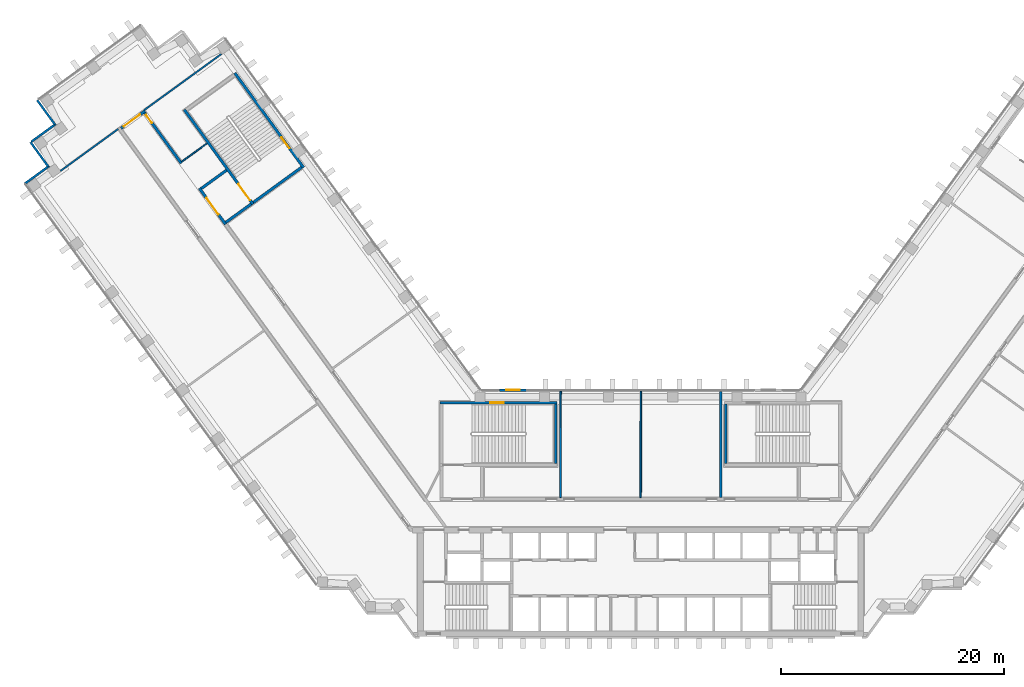
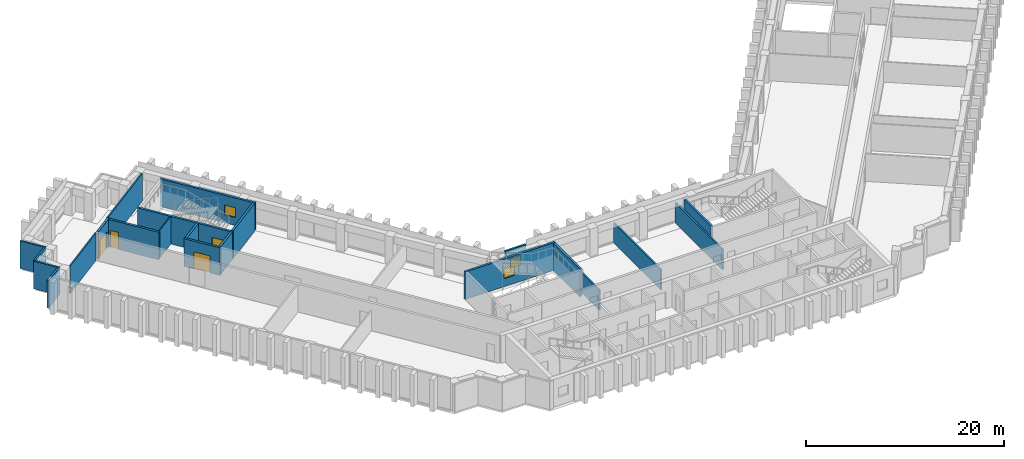
# One storey, part 6 of 12: 22 walls, 4 doors, 3 windows, 7 openings.
"""IFC4 building model written with IfcOpenShell, lengths in metres."""

from ifc_helpers import new_model, si_unit, direction, frame, frame_2d, origin, place, context, subcontext, project, spatial, rectangle, extrude, material, layer, layer_set, type_object, element, fill, save


model = new_model("IFC4")

# Units and contexts
model_context = context("Model", 3, precision=1e-05, world=origin(), true_north=direction((0.0, 1.0)))
body_context = subcontext(model_context, "Body", "Model", "MODEL_VIEW")
ifc_project = project(units=[si_unit("LENGTHUNIT", "METRE"), si_unit("AREAUNIT", "SQUARE_METRE"), si_unit("VOLUMEUNIT", "CUBIC_METRE"), si_unit("PLANEANGLEUNIT", "RADIAN"), si_unit("MASSUNIT", "GRAM", prefix="KILO")], contexts=[model_context])

# Site, building, storey
site_placement = place(None, origin())
site = spatial("IfcSite", under=ifc_project, at=site_placement, CompositionType="ELEMENT")
building_placement = place(site_placement, origin())
building = spatial("IfcBuilding", under=site, at=building_placement, Name="Quipu Civic Tower", CompositionType="ELEMENT")
storey_placement = place(building_placement, frame((0.0, 0.0, 75.0)))
storey = spatial("IfcBuildingStorey", under=building, at=storey_placement, Name="L17", CompositionType="ELEMENT", Elevation=75.0)

# Walls
ifc_material_1 = material(Name="Double gypsum plasterboard with mineral wool")
ifc_layer_1 = layer(ifc_material_1, 0.14990234375)
ifc_layer_set_1 = layer_set([ifc_layer_1], Name="Double gypsum plasterboard with mineral wool")
wall_type_1 = type_object("IfcWallType", Name="Acoustic partition 150 plasterboard", PredefinedType="PARTITIONING", material=ifc_layer_set_1)
wall_1_placement = place(storey_placement, frame((0.022705078125, 11.0, 0.0), z_axis=(0.0, 0.0, 1.0), x_axis=(-0.002377476217, -0.999997173799, 0.0)))
element("IfcWall", 1, at=wall_1_placement, inside=storey, type_object=wall_type_1, Name="Partition P05", PredefinedType="PARTITIONING", context=body_context, shape_type="SweptSolid", body=[
    extrude(rectangle(XDim=9.550048828125, YDim=0.14990234375, at=frame_2d((4.77490234375, 0.0))), origin(), (0.0, 0.0, 1.0), 2.5),
])
wall_2_placement = place(storey_placement, frame((-37.614013671875, 41.2568359375, 0.0), z_axis=(0.0, 0.0, 1.0), x_axis=(-0.808991595707, -0.587820208972, 0.0)))
element("IfcWall", 2, at=wall_2_placement, inside=storey, type_object=wall_type_1, Name="Partition P07", PredefinedType="PARTITIONING", context=body_context, shape_type="SweptSolid", body=[
    extrude(rectangle(XDim=8.550537109375, YDim=0.14990234375, at=frame_2d((4.275390625, 0.0))), origin(), (0.0, 0.0, 1.0), 3.39990234375),
])
wall_3_placement = place(storey_placement, frame((-46.877197265625, 34.52587890625, 0.0), z_axis=(0.0, 0.0, 1.0), x_axis=(-0.808993566199, -0.587817497059, 0.0)))
element("IfcWall", 3, at=wall_3_placement, inside=storey, type_object=wall_type_1, Name="Partition P11", PredefinedType="PARTITIONING", context=body_context, shape_type="SweptSolid", body=[
    extrude(rectangle(XDim=6.39453125, YDim=0.14990234375, at=frame_2d((3.197265625, 0.0))), origin(), (0.0, 0.0, 1.0), 3.39990234375),
])
wall_4_placement = place(storey_placement, frame((-7.17529296875, 11.0, 0.0), z_axis=(0.0, 0.0, 1.0), x_axis=(-0.002377476217, -0.999997173799, 0.0)))
element("IfcWall", 4, at=wall_4_placement, inside=storey, type_object=wall_type_1, Name="Partition P13", PredefinedType="PARTITIONING", context=body_context, shape_type="SweptSolid", body=[
    extrude(rectangle(XDim=9.550048828125, YDim=0.14990234375, at=frame_2d((4.77490234375, 0.0))), origin(), (0.0, 0.0, 1.0), 2.5),
])
ifc_material_2 = material(Name="Fired clay blockwork", Category="masonry")
ifc_layer_2 = layer(ifc_material_2, 0.199951171875)
ifc_layer_set_2 = layer_set([ifc_layer_2], Name="Fired clay blockwork")
wall_type_2 = type_object("IfcWallType", Name="Blockwork wall 200", PredefinedType="SOLIDWALL", material=ifc_layer_set_2)
wall_5_placement = place(storey_placement, frame((7.177978515625, 1.449951171875, 0.0), z_axis=(0.0, 0.0, 1.0), x_axis=(0.0, 1.0, 0.0)))
element("IfcWall", 5, at=wall_5_placement, inside=storey, type_object=wall_type_2, Name="Partition P06", PredefinedType="SOLIDWALL", context=body_context, shape_type="SweptSolid", body=[
    extrude(rectangle(XDim=9.550048828125, YDim=0.199951171875, at=frame_2d((4.77490234375, 0.0))), origin(), (0.0, 0.0, 1.0), 2.5),
])
ifc_material_3 = material(Name="Concrete C70/85", Category="concrete")
ifc_layer_3 = layer(ifc_material_3, 0.25)
ifc_layer_set_3 = layer_set([ifc_layer_3], Name="Concrete C70/85")
wall_type_3 = type_object("IfcWallType", Name="Core wall 250", PredefinedType="SHEAR", material=ifc_layer_set_3)
wall_6_placement = place(storey_placement, frame((-7.625, 4.5, 0.0), z_axis=(0.0, 0.0, 1.0), x_axis=(0.0, 1.0, 0.0)))
element("IfcWall", 6, at=wall_6_placement, inside=storey, type_object=wall_type_3, Name="Core wall", PredefinedType="SHEAR", context=body_context, shape_type="SweptSolid", body=[
    extrude(rectangle(XDim=5.35009765625, YDim=0.25, at=frame_2d((2.675048828125, 0.0))), origin(), (0.0, 0.0, 1.0), 3.39990234375),
])

# Wall, opening, window
wall_7_placement = place(storey_placement, frame((-18.0, 9.97509765625, 0.0), z_axis=(0.0, 0.0, 1.0), x_axis=(1.0, 0.0, 0.0)))
wall_7 = element("IfcWall", 7, at=wall_7_placement, inside=storey, type_object=wall_type_3, Name="Core wall", PredefinedType="SHEAR", context=body_context, shape_type="SweptSolid", body=[
    extrude(rectangle(XDim=10.5, YDim=0.25, at=frame_2d((5.25, 0.0))), origin(), (0.0, 0.0, 1.0), 3.39990234375),
])
opening_1_placement = place(wall_7_placement, frame((4.5, 0.0, 1.0)))
opening_1 = element("IfcOpeningElement", 8, at=opening_1_placement, cuts=wall_7, Name="Opening SV-3", PredefinedType="OPENING", context=body_context, shape_type="SweptSolid", body=[
    extrude(rectangle(XDim=1.199951171875, YDim=1.199951171875, at=frame_2d((0.60009765625, 0.60009765625))), frame((0.0, 0.135009765625, 0.0), z_axis=(0.0, -1.0, 0.0), x_axis=(1.0, 0.0, 0.0)), (0.0, 0.0, 1.0), 0.27001953125),
])
ifc_material_4 = material(Name="Aluminium louvre", Category="aluminium")
window_type_1 = type_object("IfcWindowType", Name="Stair ventilation louvre 1200 x 1200", PartitioningType="SINGLE_PANEL", PredefinedType="WINDOW", material=ifc_material_4)
window_1_placement = place(opening_1_placement, origin())
window_1 = element("IfcWindow", 9, at=window_1_placement, inside=storey, type_object=window_type_1, Name="Stair ventilation opening", OverallHeight=1.199951171875, OverallWidth=1.199951171875, PartitioningType="SINGLE_PANEL", PredefinedType="WINDOW", context=body_context, shape_type="SweptSolid", body=[
    extrude(rectangle(XDim=1.199951171875, YDim=1.199951171875, at=frame_2d((0.60009765625, 0.60009765625))), frame((0.0, 0.030029296875, 0.0), z_axis=(0.0, -1.0, 0.0), x_axis=(1.0, 0.0, 0.0)), (0.0, 0.0, 1.0), 0.06005859375),
])
fill(opening_1, window_1)

# Wall
wall_8_placement = place(storey_placement, frame((7.625, 4.5, 0.0), z_axis=(0.0, 0.0, 1.0), x_axis=(0.0, 1.0, 0.0)))
element("IfcWall", 10, at=wall_8_placement, inside=storey, type_object=wall_type_3, Name="Core wall", PredefinedType="SHEAR", context=body_context, shape_type="SweptSolid", body=[
    extrude(rectangle(XDim=5.35009765625, YDim=0.25, at=frame_2d((2.675048828125, 0.0))), origin(), (0.0, 0.0, 1.0), 3.39990234375),
])

# Wall, opening, window
wall_9_placement = place(storey_placement, frame((-30.239501953125, 31.06396484375, 0.0), z_axis=(0.0, 0.0, 1.0), x_axis=(-0.587795589702, 0.809009483706, 0.0)))
wall_9 = element("IfcWall", 11, at=wall_9_placement, inside=storey, type_object=wall_type_3, Name="Core wall", PredefinedType="SHEAR", context=body_context, shape_type="SweptSolid", body=[
    extrude(rectangle(XDim=10.5, YDim=0.25, at=frame_2d((5.25, 0.0))), origin(), (0.0, 0.0, 1.0), 3.39990234375),
])
opening_2_placement = place(wall_9_placement, frame((2.14990234375, 0.0, 1.0)))
opening_2 = element("IfcOpeningElement", 12, at=opening_2_placement, cuts=wall_9, Name="Opening SV-6", PredefinedType="OPENING", context=body_context, shape_type="SweptSolid", body=[
    extrude(rectangle(XDim=1.199951171875, YDim=1.199951171875, at=frame_2d((0.60009765625, 0.60009765625))), frame((0.0, 0.135009765625, 0.0), z_axis=(0.0, -1.0, 0.0), x_axis=(1.0, 0.0, 0.0)), (0.0, 0.0, 1.0), 0.27001953125),
])
window_2_placement = place(opening_2_placement, origin())
window_2 = element("IfcWindow", 13, at=window_2_placement, inside=storey, type_object=window_type_1, Name="Stair ventilation opening", OverallHeight=1.199951171875, OverallWidth=1.199951171875, PartitioningType="SINGLE_PANEL", PredefinedType="WINDOW", context=body_context, shape_type="SweptSolid", body=[
    extrude(rectangle(XDim=1.199951171875, YDim=1.199951171875, at=frame_2d((0.60009765625, 0.60009765625))), frame((0.0, 0.030029296875, 0.0), z_axis=(0.0, -1.0, 0.0), x_axis=(1.0, 0.0, 0.0)), (0.0, 0.0, 1.0), 0.06005859375),
])
fill(opening_2, window_2)

# Wall
wall_10_placement = place(storey_placement, frame((-30.414306640625, 31.091796875, 0.0), z_axis=(0.0, 0.0, 1.0), x_axis=(-0.8089984606, -0.587810760999, 0.0)))
element("IfcWall", 14, at=wall_10_placement, inside=storey, type_object=wall_type_3, Name="Core wall", PredefinedType="SHEAR", context=body_context, shape_type="SweptSolid", body=[
    extrude(rectangle(XDim=5.35009765625, YDim=0.25, at=frame_2d((2.675048828125, 0.0))), origin(), (0.0, 0.0, 1.0), 3.39990234375),
])

# Wall, opening, door
wall_11_placement = place(storey_placement, frame((-40.94189453125, 36.26708984375, 0.0), z_axis=(0.0, 0.0, 1.0), x_axis=(0.587795589702, -0.809009483706, 0.0)))
wall_11 = element("IfcWall", 15, at=wall_11_placement, inside=storey, type_object=wall_type_3, Name="Core wall", PredefinedType="SHEAR", context=body_context, shape_type="SweptSolid", body=[
    extrude(rectangle(XDim=10.5, YDim=0.25, at=frame_2d((5.25, 0.0))), origin(), (0.0, 0.0, 1.0), 3.39990234375),
])
opening_3_placement = place(wall_11_placement, frame((8.25, 0.0, 0.0)))
opening_3 = element("IfcOpeningElement", 16, at=opening_3_placement, cuts=wall_11, Name="Opening CD-19", PredefinedType="OPENING", context=body_context, shape_type="SweptSolid", body=[
    extrude(rectangle(XDim=1.800048828125, YDim=2.10009765625, at=frame_2d((0.89990234375, 1.050048828125))), frame((0.0, 0.135009765625, 0.0), z_axis=(0.0, -1.0, 0.0), x_axis=(1.0, 0.0, 0.0)), (0.0, 0.0, 1.0), 0.27001953125),
])
ifc_material_5 = material(Name="Fire rated steel door", Category="steel")
door_type_1 = type_object("IfcDoorType", Name="Fire door FD90 double 1800 x 2100", OperationType="NOTDEFINED", PredefinedType="DOOR", material=ifc_material_5)
door_1_placement = place(opening_3_placement, origin())
door_1 = element("IfcDoor", 17, at=door_1_placement, inside=storey, type_object=door_type_1, Name="Door", OperationType="DOUBLE_DOOR_SINGLE_SWING", OverallHeight=2.10009765625, OverallWidth=1.800048828125, PredefinedType="DOOR", context=body_context, shape_type="SweptSolid", body=[
    extrude(rectangle(XDim=1.800048828125, YDim=2.10009765625, at=frame_2d((0.89990234375, 1.050048828125))), frame((0.0, 0.02490234375, 0.0), z_axis=(0.0, -1.0, 0.0), x_axis=(1.0, 0.0, 0.0)), (0.0, 0.0, 1.0), 0.050048828125),
])
fill(opening_3, door_1)

# Walls
for number, where, z_axis, x_axis, name in (
    (18, (-34.944580078125, 27.800048828125, 0.0), (0.0, 0.0, 1.0), (-0.809041377956, -0.587751689708, 0.0), "Core wall"),
    (19, (-37.14892578125, 30.833984375, 0.0), (0.0, 0.0, 1.0), (-0.808969789945, -0.58785021813, 0.0), "Core wall"),
):
    element("IfcWall", number, at=place(storey_placement, frame(where, z_axis=z_axis, x_axis=x_axis)), inside=storey, type_object=wall_type_3, Name=name, PredefinedType="SHEAR", context=body_context, shape_type="SweptSolid", body=[
        extrude(rectangle(XDim=2.800048828125, YDim=0.25, at=frame_2d((1.39990234375, 0.0))), origin(), (0.0, 0.0, 1.0), 3.39990234375),
    ])

# Wall, opening, door
wall_12_placement = place(storey_placement, frame((-39.588623046875, 29.2158203125, 0.0), z_axis=(0.0, 0.0, 1.0), x_axis=(0.587772420479, -0.809026317077, 0.0)))
wall_12 = element("IfcWall", 20, at=wall_12_placement, inside=storey, type_object=wall_type_3, Name="Core wall", PredefinedType="SHEAR", context=body_context, shape_type="SweptSolid", body=[
    extrude(rectangle(XDim=4.0, YDim=0.25, at=frame_2d((2.0, 0.0))), origin(), (0.0, 0.0, 1.0), 3.39990234375),
])
opening_4_placement = place(wall_12_placement, frame((1.10009765625, 0.0, 0.0)))
opening_4 = element("IfcOpeningElement", 21, at=opening_4_placement, cuts=wall_12, Name="Opening CD-20", PredefinedType="OPENING", context=body_context, shape_type="SweptSolid", body=[
    extrude(rectangle(XDim=1.800048828125, YDim=2.10009765625, at=frame_2d((0.89990234375, 1.050048828125))), frame((0.0, 0.135009765625, 0.0), z_axis=(0.0, -1.0, 0.0), x_axis=(1.0, 0.0, 0.0)), (0.0, 0.0, 1.0), 0.27001953125),
])
door_2_placement = place(opening_4_placement, origin())
door_2 = element("IfcDoor", 22, at=door_2_placement, inside=storey, type_object=door_type_1, Name="Lobby door", OperationType="DOUBLE_DOOR_SINGLE_SWING", OverallHeight=2.10009765625, OverallWidth=1.800048828125, PredefinedType="DOOR", context=body_context, shape_type="SweptSolid", body=[
    extrude(rectangle(XDim=1.800048828125, YDim=2.10009765625, at=frame_2d((0.89990234375, 1.050048828125))), frame((0.0, 0.02490234375, 0.0), z_axis=(0.0, -1.0, 0.0), x_axis=(1.0, 0.0, 0.0)), (0.0, 0.0, 1.0), 0.050048828125),
])
fill(opening_4, door_2)

ifc_material_6 = material(Name="Concrete C50/60", Category="concrete")
ifc_layer_4 = layer(ifc_material_6, 0.25)
ifc_layer_set_4 = layer_set([ifc_layer_4], Name="Concrete C50/60")
wall_type_4 = type_object("IfcWallType", Name="Corridor wall 250 concrete", PredefinedType="SOLIDWALL", material=ifc_layer_set_4)
wall_13_placement = place(storey_placement, frame((-46.613037109375, 34.587890625, 0.0), z_axis=(0.0, 0.0, 1.0), x_axis=(0.808994936898, 0.587815610607, 0.0)))
wall_13 = element("IfcWall", 23, at=wall_13_placement, inside=storey, type_object=wall_type_4, Name="Corridor wall C02", PredefinedType="SOLIDWALL", context=body_context, shape_type="SweptSolid", body=[
    extrude(rectangle(XDim=2.650146484375, YDim=0.25, at=frame_2d((1.3251953125, 0.0))), origin(), (0.0, 0.0, 1.0), 3.39990234375),
])
opening_5_placement = place(wall_13_placement, frame((0.29931640625, 0.0, 0.0)))
opening_5 = element("IfcOpeningElement", 24, at=opening_5_placement, cuts=wall_13, Name="Opening D021", PredefinedType="OPENING", context=body_context, shape_type="SweptSolid", body=[
    extrude(rectangle(XDim=1.800048828125, YDim=2.10009765625, at=frame_2d((0.89990234375, 1.050048828125))), frame((0.0, 0.135009765625, 0.0), z_axis=(0.0, -1.0, 0.0), x_axis=(1.0, 0.0, 0.0)), (0.0, 0.0, 1.0), 0.27001953125),
])
ifc_material_7 = material(Name="Fire rated timber door set with metal frame", Category="wood")
door_type_2 = type_object("IfcDoorType", Name="Double door 1800 x 2100 FD60", OperationType="DOUBLE_DOOR_SINGLE_SWING", PredefinedType="DOOR", material=ifc_material_7)
door_3_placement = place(opening_5_placement, origin())
door_3 = element("IfcDoor", 25, at=door_3_placement, inside=storey, type_object=door_type_2, Name="Door D021", OperationType="DOUBLE_DOOR_SINGLE_SWING", OverallHeight=2.10009765625, OverallWidth=1.800048828125, PredefinedType="DOOR", context=body_context, shape_type="SweptSolid", body=[
    extrude(rectangle(XDim=1.800048828125, YDim=2.10009765625, at=frame_2d((0.89990234375, 1.050048828125))), frame((0.0, 0.02490234375, 0.0), z_axis=(0.0, -1.0, 0.0), x_axis=(1.0, 0.0, 0.0)), (0.0, 0.0, 1.0), 0.050048828125),
])
fill(opening_5, door_3)

wall_14_placement = place(storey_placement, frame((-44.49658203125, 35.97119140625, 0.0), z_axis=(0.0, 0.0, 1.0), x_axis=(0.587742866856, -0.809047787501, 0.0)))
wall_14 = element("IfcWall", 26, at=wall_14_placement, inside=storey, type_object=wall_type_4, Name="Corridor wall C03", PredefinedType="SOLIDWALL", context=body_context, shape_type="SweptSolid", body=[
    extrude(rectangle(XDim=5.58642578125, YDim=0.25, at=frame_2d((2.793212890625, 0.0))), origin(), (0.0, 0.0, 1.0), 3.39990234375),
])
opening_6_placement = place(wall_14_placement, frame((0.224365234375, 0.0, 0.0)))
opening_6 = element("IfcOpeningElement", 27, at=opening_6_placement, cuts=wall_14, Name="Opening D015", PredefinedType="OPENING", context=body_context, shape_type="SweptSolid", body=[
    extrude(rectangle(XDim=0.89990234375, YDim=2.10009765625, at=frame_2d((0.449951171875, 1.050048828125))), frame((0.0, 0.135009765625, 0.0), z_axis=(0.0, -1.0, 0.0), x_axis=(1.0, 0.0, 0.0)), (0.0, 0.0, 1.0), 0.27001953125),
])
ifc_material_8 = material(Name="Fire rated timber door set with metal frame", Category="wood")
door_type_3 = type_object("IfcDoorType", Name="Single door 900 x 2100 FD60", OperationType="NOTDEFINED", PredefinedType="DOOR", material=ifc_material_8)
door_4_placement = place(opening_6_placement, origin())
door_4 = element("IfcDoor", 28, at=door_4_placement, inside=storey, type_object=door_type_3, Name="Door D015", OperationType="SINGLE_SWING_LEFT", OverallHeight=2.10009765625, OverallWidth=0.89990234375, PredefinedType="DOOR", context=body_context, shape_type="SweptSolid", body=[
    extrude(rectangle(XDim=0.89990234375, YDim=2.10009765625, at=frame_2d((0.449951171875, 1.050048828125))), frame((0.0, 0.02490234375, 0.0), z_axis=(0.0, -1.0, 0.0), x_axis=(1.0, 0.0, 0.0)), (0.0, 0.0, 1.0), 0.050048828125),
])
fill(opening_6, door_4)

# Walls
ifc_material_9 = material(Name="Gypsum plasterboard on light gauge framing")
ifc_layer_5 = layer(ifc_material_9, 0.1201171875)
ifc_layer_set_5 = layer_set([ifc_layer_5], Name="Gypsum plasterboard on light gauge framing")
wall_type_5 = type_object("IfcWallType", Name="Partition 120 plasterboard", PredefinedType="PARTITIONING", material=ifc_layer_set_5)
wall_15_placement = place(storey_placement, frame((-41.166015625, 31.59912109375, 0.0), z_axis=(0.0, 0.0, 1.0), x_axis=(0.809090262332, 0.587684394381, 0.0)))
element("IfcWall", 29, at=wall_15_placement, inside=storey, type_object=wall_type_5, Name="Partition P16", PredefinedType="PARTITIONING", context=body_context, shape_type="SweptSolid", body=[
    extrude(rectangle(XDim=2.80078125, YDim=0.1201171875, at=frame_2d((1.400390625, 0.0))), origin(), (0.0, 0.0, 1.0), 3.39990234375),
])
ifc_material_10 = material(Name="Precast concrete C40/50", Category="concrete")
wall_type_6 = type_object("IfcWallType", Name="Precast cladding wall", PredefinedType="SOLIDWALL", material=ifc_material_10)
wall_16_placement = place(storey_placement, frame((-54.140380859375, 37.12255859375, 0.0), z_axis=(0.0, 0.0, 1.0), x_axis=(0.587822180636, -0.808990163075, 0.0)))
element("IfcWall", 30, at=wall_16_placement, inside=storey, type_object=wall_type_6, Name="Precast cladding wall L17 P07", PredefinedType="SOLIDWALL", context=body_context, shape_type="SweptSolid", body=[
    extrude(rectangle(XDim=2.699951171875, YDim=0.199951171875, at=frame_2d((1.35009765625, 0.0))), origin(), (0.0, 0.0, 1.0), 3.39990234375),
])

# Wall, opening, window
wall_17_placement = place(storey_placement, frame((-10.263427734375, 11.10009765625, 0.0), z_axis=(0.0, 0.0, 1.0), x_axis=(-1.0, 0.0, 0.0)))
wall_17 = element("IfcWall", 31, at=wall_17_placement, inside=storey, type_object=wall_type_6, Name="Vent surround SF-L15-1", PredefinedType="SOLIDWALL", context=body_context, shape_type="SweptSolid", body=[
    extrude(rectangle(XDim=2.3916015625, YDim=0.199951171875, at=frame_2d((1.19580078125, 0.0))), origin(), (0.0, 0.0, 1.0), 3.39990234375),
])
opening_7_placement = place(wall_17_placement, frame((0.595703125, 0.0, 1.0)))
opening_7 = element("IfcOpeningElement", 32, at=opening_7_placement, cuts=wall_17, Name="Opening SF-L15-1", PredefinedType="OPENING", context=body_context, shape_type="SweptSolid", body=[
    extrude(rectangle(XDim=1.199951171875, YDim=1.199951171875, at=frame_2d((0.60009765625, 0.60009765625))), frame((0.0, 0.10986328125, 0.0), z_axis=(0.0, -1.0, 0.0), x_axis=(1.0, 0.0, 0.0)), (0.0, 0.0, 1.0), 0.219970703125),
])
ifc_material_11 = material(Name="Anodised aluminium louvre", Category="aluminium")
window_type_2 = type_object("IfcWindowType", Name="Stair vent louvre window P3", PartitioningType="SINGLE_PANEL", PredefinedType="WINDOW", material=ifc_material_11)
window_3_placement = place(opening_7_placement, origin())
window_3 = element("IfcWindow", 33, at=window_3_placement, inside=storey, type_object=window_type_2, Name="Stair vent louvre SF-L15-1", OverallHeight=1.199951171875, OverallWidth=1.199951171875, PartitioningType="SINGLE_PANEL", PredefinedType="WINDOW", context=body_context, shape_type="SweptSolid", body=[
    extrude(rectangle(XDim=1.199951171875, YDim=1.199951171875, at=frame_2d((0.60009765625, 0.60009765625))), frame((0.0, 0.030029296875, 0.0), z_axis=(0.0, -1.0, 0.0), x_axis=(1.0, 0.0, 0.0)), (0.0, 0.0, 1.0), 0.06005859375),
])
fill(opening_7, window_3)

# Walls
wall_18_placement = place(storey_placement, frame((-52.46533203125, 34.9873046875, 0.0), z_axis=(0.0, 0.0, 1.0), x_axis=(-0.809033161865, -0.587762999008, 0.0)))
element("IfcWall", 34, at=wall_18_placement, inside=storey, type_object=wall_type_6, Name="Precast cladding wall L17 1", PredefinedType="SOLIDWALL", context=body_context, shape_type="SweptSolid", body=[
    extrude(rectangle(XDim=2.699951171875, YDim=0.199951171875, at=frame_2d((1.35009765625, 0.0))), origin(), (0.0, 0.0, 1.0), 3.39990234375),
])
wall_19_placement = place(storey_placement, frame((-54.73779296875, 33.351318359375, 0.0), z_axis=(0.0, 0.0, 1.0), x_axis=(0.587779184282, -0.809021403008, 0.0)))
element("IfcWall", 35, at=wall_19_placement, inside=storey, type_object=wall_type_6, Name="Precast cladding wall L17 2", PredefinedType="SOLIDWALL", context=body_context, shape_type="SweptSolid", body=[
    extrude(rectangle(XDim=2.7001953125, YDim=0.199951171875, at=frame_2d((1.35009765625, 0.0))), origin(), (0.0, 0.0, 1.0), 3.39990234375),
])
wall_20_placement = place(storey_placement, frame((-53.062744140625, 31.2158203125, 0.0), z_axis=(0.0, 0.0, 1.0), x_axis=(-0.809033161865, -0.587762999008, 0.0)))
element("IfcWall", 36, at=wall_20_placement, inside=storey, type_object=wall_type_6, Name="Precast cladding wall L17 3", PredefinedType="SOLIDWALL", context=body_context, shape_type="SweptSolid", body=[
    extrude(rectangle(XDim=2.699951171875, YDim=0.199951171875, at=frame_2d((1.35009765625, 0.0))), origin(), (0.0, 0.0, 1.0), 3.39990234375),
])

save(model, "model.ifc")
